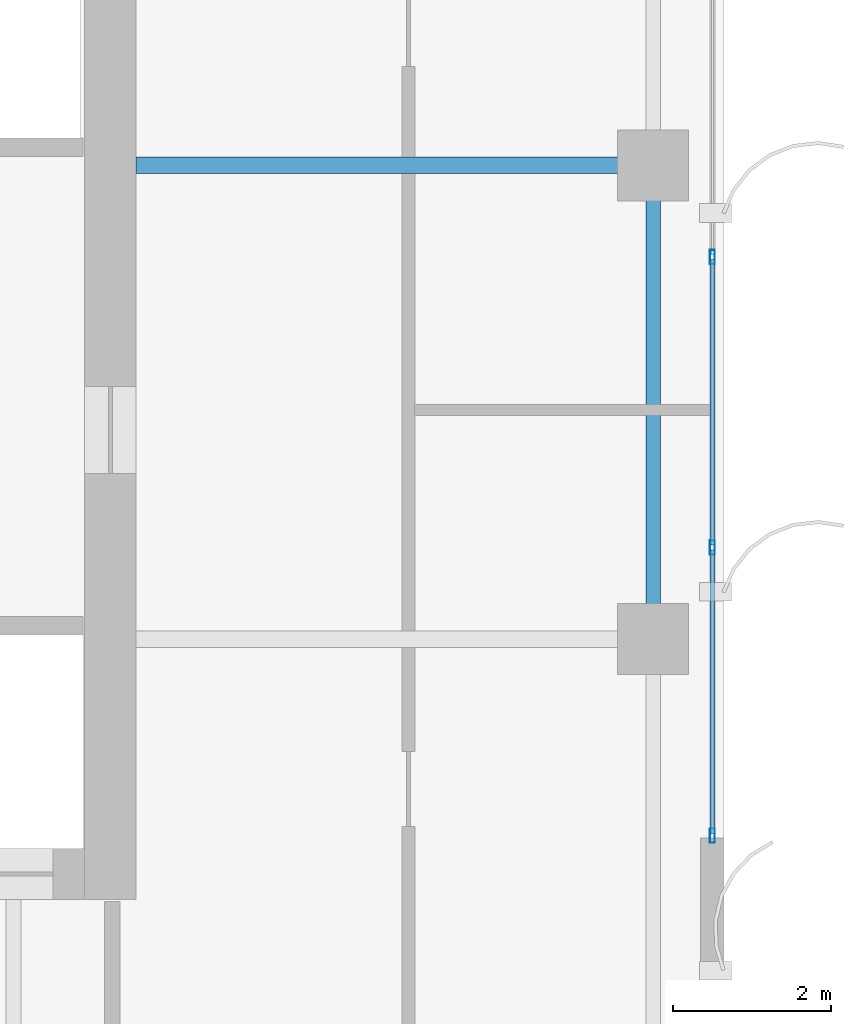
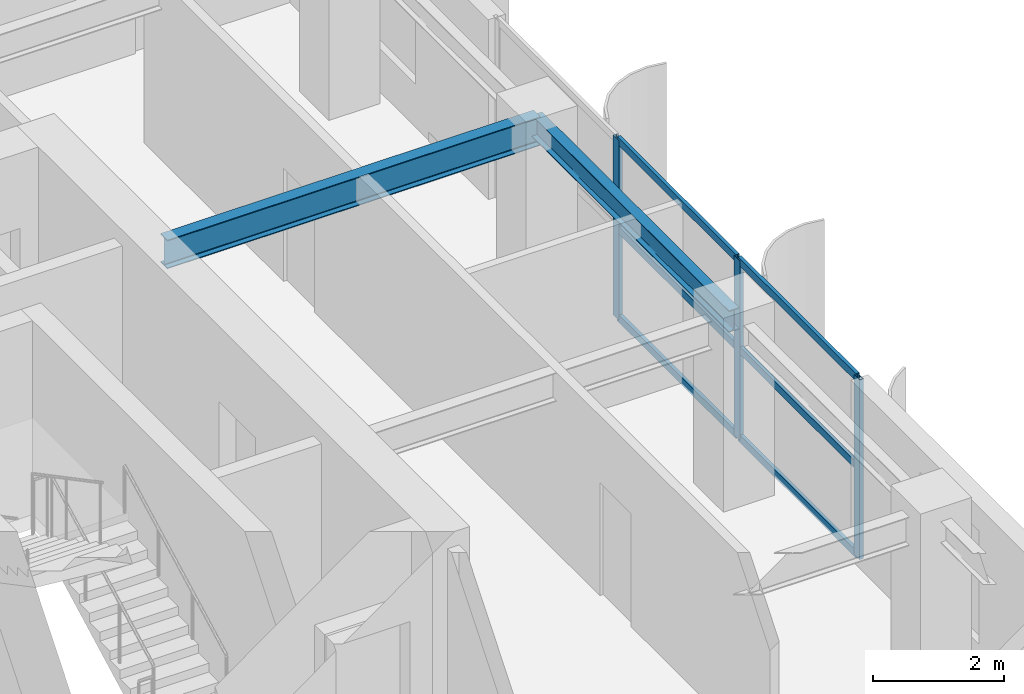
# One storey, part 11 of 25: 9 members, 2 beams, 1 element without a shape of its own.
"""IFC4 building model written with IfcOpenShell, lengths in metres."""

from ifc_helpers import new_model, si_unit, direction, frame, origin, origin_2d, place, context, subcontext, project, spatial, hollow_rectangle, i_section, extrude, source, transform, mapped, material, layer, layer_set, material_profile, profile_set, type_object, element, aggregate, save


model = new_model("IFC4")

# Units and contexts
model_context = context("Model", 3, precision=1e-05, world=origin(), true_north=direction((0.0, 1.0)))
body_context = subcontext(model_context, "Body", "Model", "MODEL_VIEW")
ifc_project = project(units=[si_unit("LENGTHUNIT", "METRE"), si_unit("AREAUNIT", "SQUARE_METRE"), si_unit("VOLUMEUNIT", "CUBIC_METRE"), si_unit("PLANEANGLEUNIT", "RADIAN"), si_unit("MASSUNIT", "GRAM", prefix="KILO")], contexts=[model_context])

# Site, building, storey
site_placement = place(None, origin())
site = spatial("IfcSite", under=ifc_project, at=site_placement, CompositionType="ELEMENT")
building_placement = place(site_placement, origin())
building = spatial("IfcBuilding", under=site, at=building_placement, Name="Khoralis Quay Care Tower", CompositionType="ELEMENT")
storey_placement = place(building_placement, frame((0.0, 0.0, 166.5)))
storey = spatial("IfcBuildingStorey", under=building, at=storey_placement, Name="L43", CompositionType="ELEMENT", Elevation=166.5)

# Beams
ifc_material_1 = material(Name="Steel S355", Category="steel")
ifc_material_profile_1 = material_profile(ifc_material_1, i_section(OverallWidth=0.179931640625, OverallDepth=0.39990234375, WebThickness=0.008544921875, FlangeThickness=0.013427734375, FilletRadius=0.02099609375, at=origin_2d()), Name="Steel S355")
ifc_profile_set_1 = profile_set([ifc_material_profile_1], Name="Steel S355")
beam_type_1 = type_object("IfcBeamType", Name="BM-IPE400", PredefinedType="SPANDREL", material=ifc_profile_set_1)
shared_shape_1 = source(origin(), body_context, "Body", "SweptSolid", [
    extrude(i_section(OverallWidth=0.179931640625, OverallDepth=0.39990234375, WebThickness=0.008544921875, FlangeThickness=0.013427734375, FilletRadius=0.02099609375, at=origin_2d()), origin(), (0.0, 0.0, 1.0), 6.0),
])
beam_1_placement = place(storey_placement, frame((44.10009765625, 18.0, 3.139892578125), z_axis=(0.0, 1.0, 0.0), x_axis=(-1.0, 0.0, 0.0)))
element("IfcBeam", 1, at=beam_1_placement, inside=storey, type_object=beam_type_1, Name="BM-TSP-L43-16", PredefinedType="SPANDREL", context=body_context, shape_type="MappedRepresentation", body=[
    mapped(shared_shape_1, transform((0.0, 0.0, 0.0), scale=1.0)),
])
ifc_material_profile_2 = material_profile(ifc_material_1, i_section(OverallWidth=0.208984375, OverallDepth=0.532958984375, WebThickness=0.01025390625, FlangeThickness=0.015625, FilletRadius=0.01611328125, at=origin_2d()), Name="Steel S355")
ifc_profile_set_2 = profile_set([ifc_material_profile_2], Name="Steel S355")
beam_type_2 = type_object("IfcBeamType", Name="BM-W530X92", PredefinedType="BEAM", material=ifc_profile_set_2)
shared_shape_2 = source(origin(), body_context, "Body", "SweptSolid", [
    extrude(i_section(OverallWidth=0.208984375, OverallDepth=0.532958984375, WebThickness=0.01025390625, FlangeThickness=0.015625, FilletRadius=0.01611328125, at=origin_2d()), origin(), (0.0, 0.0, 1.0), 6.552001953125),
])
beam_2_placement = place(storey_placement, frame((37.548095703125, 24.0, 3.073486328125), z_axis=(1.0, 0.0, 0.0), x_axis=(0.0, 1.0, 0.0)))
element("IfcBeam", 2, at=beam_2_placement, inside=storey, type_object=beam_type_2, Name="BM-TGXE-L43-240", PredefinedType="BEAM", context=body_context, shape_type="MappedRepresentation", body=[
    mapped(shared_shape_2, transform((0.0, 0.0, 0.0), scale=1.0)),
])

# Curtain wall, members
ifc_material_2 = material(Name="Pale anodised aluminium", Category="aluminium")
ifc_layer = layer(ifc_material_2, 0.159912109375)
ifc_layer_set = layer_set([ifc_layer], Name="Pale anodised aluminium")
curtain_wall_type = type_object("IfcCurtainWallType", Name="CW-SYS-Z3", PredefinedType="NOTDEFINED", material=ifc_layer_set)
curtain_wall_placement = place(storey_placement, origin())
curtain_wall = element("IfcCurtainWall", 3, at=curtain_wall_placement, inside=storey, type_object=curtain_wall_type, Name="L43 Unitised Curtain Wall CW-L43-P1-E5", PredefinedType="NOTDEFINED")
ifc_material_profile_3 = material_profile(ifc_material_2, hollow_rectangle(XDim=0.06494140625, YDim=0.179931640625, WallThickness=0.00390625, at=origin_2d()), Name="Pale anodised aluminium")
ifc_profile_set_3 = profile_set([ifc_material_profile_3], Name="Pale anodised aluminium")
member_type_1 = type_object("IfcMemberType", Name="CW-MUL-180", PredefinedType="MULLION", material=ifc_profile_set_3)
shared_shape_3 = source(origin(), body_context, "Body", "SweptSolid", [
    extrude(hollow_rectangle(XDim=0.06494140625, YDim=0.179931640625, WallThickness=0.00390625, at=origin_2d()), origin(), (0.0, 0.0, 1.0), 3.340087890625),
])
member_1_placement = place(storey_placement, frame((44.85009765625, 15.510009765625, 0.0), z_axis=(0.0, 0.0, 1.0), x_axis=(-1.0, 0.0, 0.0)))
member_1 = element("IfcMember", 4, at=member_1_placement, type_object=member_type_1, Name="CW3 mullion 1", PredefinedType="MULLION", context=body_context, shape_type="MappedRepresentation", body=[
    mapped(shared_shape_3, transform((0.0, 0.0, 0.0), scale=1.0)),
])
member_2_placement = place(storey_placement, frame((44.85009765625, 19.159912109375, 0.0), z_axis=(0.0, 0.0, 1.0), x_axis=(-1.0, 0.0, 0.0)))
member_2 = element("IfcMember", 5, at=member_2_placement, type_object=member_type_1, Name="CW3 mullion 2", PredefinedType="MULLION", context=body_context, shape_type="MappedRepresentation", body=[
    mapped(shared_shape_3, transform((0.0, 0.0, 0.0), scale=1.0)),
])
member_3_placement = place(storey_placement, frame((44.85009765625, 22.840087890625, 0.0), z_axis=(0.0, 0.0, 1.0), x_axis=(-1.0, 0.0, 0.0)))
member_3 = element("IfcMember", 6, at=member_3_placement, type_object=member_type_1, Name="CW3 mullion 3", PredefinedType="MULLION", context=body_context, shape_type="MappedRepresentation", body=[
    mapped(shared_shape_3, transform((0.0, 0.0, 0.0), scale=1.0)),
])
ifc_material_profile_4 = material_profile(ifc_material_2, hollow_rectangle(XDim=0.06005859375, YDim=0.139892578125, WallThickness=0.00390625, at=origin_2d()), Name="Pale anodised aluminium")
ifc_profile_set_4 = profile_set([ifc_material_profile_4], Name="Pale anodised aluminium")
member_type_2 = type_object("IfcMemberType", Name="CW-TRN-140", PredefinedType="USERDEFINED", material=ifc_profile_set_4)
shared_shape_4 = source(origin(), body_context, "Body", "SweptSolid", [
    extrude(hollow_rectangle(XDim=0.06005859375, YDim=0.139892578125, WallThickness=0.00390625, at=origin_2d()), origin(), (0.0, 0.0, 1.0), 3.58984375),
])
member_4_placement = place(storey_placement, frame((44.85009765625, 15.5400390625, 0.030029296875), z_axis=(0.0, 1.0, 0.0), x_axis=(-1.0, 0.0, 0.0)))
member_4 = element("IfcMember", 7, at=member_4_placement, type_object=member_type_2, Name="CW3 transom 1.1", ObjectType="TRANSOM", PredefinedType="USERDEFINED", context=body_context, shape_type="MappedRepresentation", body=[
    mapped(shared_shape_4, transform((0.0, 0.0, 0.0), scale=1.0)),
])
member_5_placement = place(storey_placement, frame((44.85009765625, 15.5400390625, 1.669921875), z_axis=(0.0, 1.0, 0.0), x_axis=(-1.0, 0.0, 0.0)))
member_5 = element("IfcMember", 8, at=member_5_placement, type_object=member_type_2, Name="CW3 transom 1.2", ObjectType="TRANSOM", PredefinedType="USERDEFINED", context=body_context, shape_type="MappedRepresentation", body=[
    mapped(shared_shape_4, transform((0.0, 0.0, 0.0), scale=1.0)),
])
member_6_placement = place(storey_placement, frame((44.85009765625, 15.5400390625, 3.31005859375), z_axis=(0.0, 1.0, 0.0), x_axis=(-1.0, 0.0, 0.0)))
member_6 = element("IfcMember", 9, at=member_6_placement, type_object=member_type_2, Name="CW3 transom 1.3", ObjectType="TRANSOM", PredefinedType="USERDEFINED", context=body_context, shape_type="MappedRepresentation", body=[
    mapped(shared_shape_4, transform((0.0, 0.0, 0.0), scale=1.0)),
])
shared_shape_5 = source(origin(), body_context, "Body", "SweptSolid", [
    extrude(hollow_rectangle(XDim=0.06005859375, YDim=0.139892578125, WallThickness=0.00390625, at=origin_2d()), origin(), (0.0, 0.0, 1.0), 3.6201171875),
])
member_7_placement = place(storey_placement, frame((44.85009765625, 19.18994140625, 0.030029296875), z_axis=(0.0, 1.0, 0.0), x_axis=(-1.0, 0.0, 0.0)))
member_7 = element("IfcMember", 10, at=member_7_placement, type_object=member_type_2, Name="CW3 transom 2.1", ObjectType="TRANSOM", PredefinedType="USERDEFINED", context=body_context, shape_type="MappedRepresentation", body=[
    mapped(shared_shape_5, transform((0.0, 0.0, 0.0), scale=1.0)),
])
member_8_placement = place(storey_placement, frame((44.85009765625, 19.18994140625, 1.669921875), z_axis=(0.0, 1.0, 0.0), x_axis=(-1.0, 0.0, 0.0)))
member_8 = element("IfcMember", 11, at=member_8_placement, type_object=member_type_2, Name="CW3 transom 2.2", ObjectType="TRANSOM", PredefinedType="USERDEFINED", context=body_context, shape_type="MappedRepresentation", body=[
    mapped(shared_shape_5, transform((0.0, 0.0, 0.0), scale=1.0)),
])
member_9_placement = place(storey_placement, frame((44.85009765625, 19.18994140625, 3.31005859375), z_axis=(0.0, 1.0, 0.0), x_axis=(-1.0, 0.0, 0.0)))
member_9 = element("IfcMember", 12, at=member_9_placement, type_object=member_type_2, Name="CW3 transom 2.3", ObjectType="TRANSOM", PredefinedType="USERDEFINED", context=body_context, shape_type="MappedRepresentation", body=[
    mapped(shared_shape_5, transform((0.0, 0.0, 0.0), scale=1.0)),
])
aggregate(curtain_wall, [member_1, member_2, member_3, member_4, member_5, member_6, member_7, member_8, member_9])

save(model, "model.ifc")
